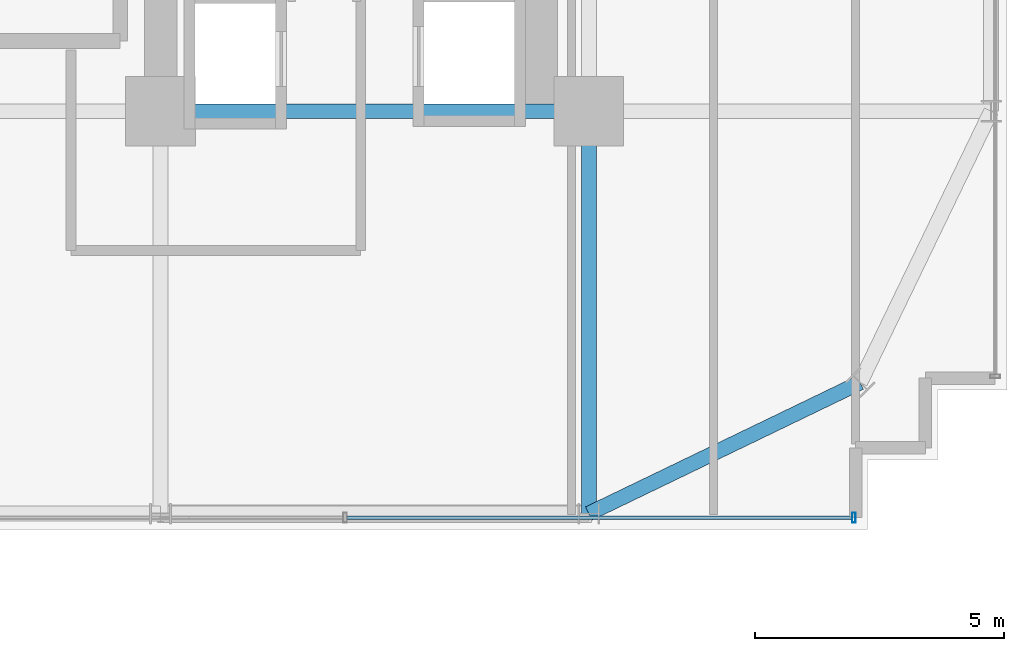
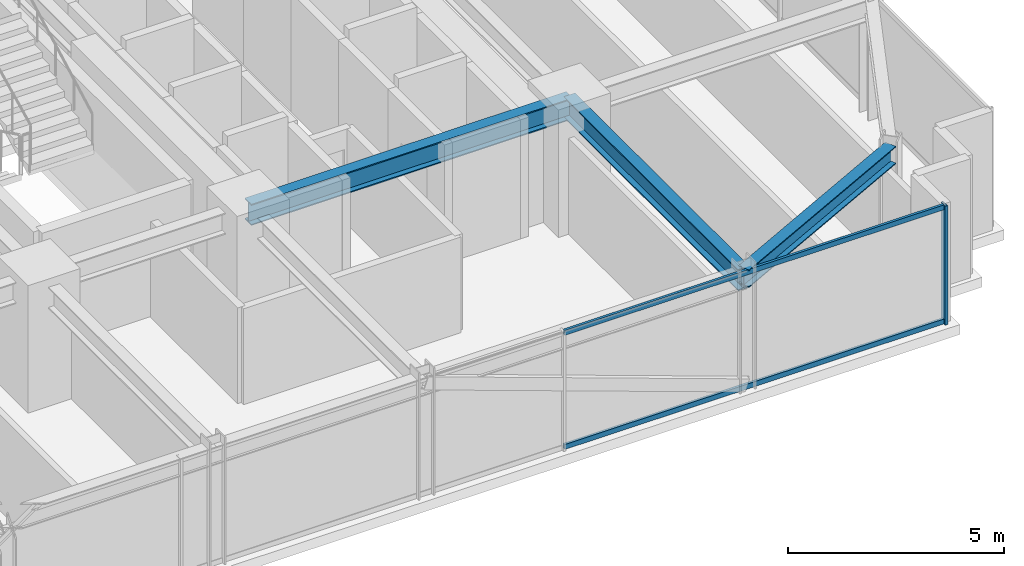
# One storey, part 13 of 43: 3 beams, 3 members, 1 element without a shape of its own.
"""IFC4 building model written with IfcOpenShell, lengths in metres."""

from ifc_helpers import new_model, si_unit, direction, frame, origin, origin_2d, place, context, subcontext, project, spatial, hollow_rectangle, i_section, extrude, source, transform, mapped, material, material_profile, profile_set, type_object, element, aggregate, save


model = new_model("IFC4")

# Units and contexts
model_context = context("Model", 3, precision=1e-05, world=origin(), true_north=direction((0.0, 1.0)))
body_context = subcontext(model_context, "Body", "Model", "MODEL_VIEW")
ifc_project = project(units=[si_unit("LENGTHUNIT", "METRE"), si_unit("AREAUNIT", "SQUARE_METRE"), si_unit("VOLUMEUNIT", "CUBIC_METRE"), si_unit("PLANEANGLEUNIT", "RADIAN"), si_unit("MASSUNIT", "GRAM", prefix="KILO")], contexts=[model_context])

# Site, building, storey
site_placement = place(None, origin())
site = spatial("IfcSite", under=ifc_project, at=site_placement, CompositionType="ELEMENT")
building_placement = place(site_placement, origin())
building = spatial("IfcBuilding", under=site, at=building_placement, Name="Nahalor Promenade Grand Hotel", CompositionType="ELEMENT")
storey_placement = place(building_placement, frame((0.0, 0.0, 57.949951171875)))
storey = spatial("IfcBuildingStorey", under=building, at=storey_placement, Name="L13", CompositionType="ELEMENT", Elevation=57.949951171875)

# Beams
ifc_material_1 = material(Name="Steel S355JR", Category="steel")
ifc_material_profile_1 = material_profile(ifc_material_1, i_section(OverallWidth=0.3, OverallDepth=0.6, WebThickness=0.0155, FlangeThickness=0.03, at=origin_2d()), Name="HEB 600")
ifc_profile_set_1 = profile_set([ifc_material_profile_1], Name="Steel S355JR")
beam_type_1 = type_object("IfcBeamType", Name="Beam-Girder-HEB600", PredefinedType="BEAM", material=ifc_profile_set_1)
shared_shape_1 = source(origin(), body_context, "Body", "SweptSolid", [
    extrude(i_section(OverallWidth=0.3, OverallDepth=0.6, WebThickness=0.0155, FlangeThickness=0.03, at=origin_2d()), origin(), (0.0, 0.0, 1.0), 8.60009765625),
])
beam_1_placement = place(storey_placement, frame((8.39990234375, -17.0, 3.070068359375), z_axis=(1.0, 0.0, 0.0), x_axis=(0.0, 1.0, 0.0)))
element("IfcBeam", 1, at=beam_1_placement, inside=storey, type_object=beam_type_1, Name="BM-L13-GX-0-5", PredefinedType="BEAM", context=body_context, shape_type="MappedRepresentation", body=[
    mapped(shared_shape_1, transform((0.0, 0.0, 0.0), scale=1.0)),
])
shared_shape_2 = source(origin(), body_context, "Body", "SweptSolid", [
    extrude(i_section(OverallWidth=0.3, OverallDepth=0.6, WebThickness=0.0155, FlangeThickness=0.03, at=origin_2d()), origin(), (0.0, 0.0, 1.0), 8.080078125),
])
beam_2_placement = place(storey_placement, frame((17.0, -25.080078125, 3.070068359375), z_axis=(0.0, 1.0, 0.0), x_axis=(-1.0, 0.0, 0.0)))
element("IfcBeam", 2, at=beam_2_placement, inside=storey, type_object=beam_type_1, Name="BM-L13-GY-5-0", PredefinedType="BEAM", context=body_context, shape_type="MappedRepresentation", body=[
    mapped(shared_shape_2, transform((0.0, 0.0, 0.0), scale=1.0)),
])
ifc_material_profile_2 = material_profile(ifc_material_1, i_section(OverallWidth=0.3, OverallDepth=0.5, WebThickness=0.0145, FlangeThickness=0.028, at=origin_2d()), Name="HEB 500")
ifc_profile_set_2 = profile_set([ifc_material_profile_2], Name="Steel S355JR")
beam_type_2 = type_object("IfcBeamType", Name="Beam-Spandrel-HEB500", PredefinedType="SPANDREL", material=ifc_profile_set_2)
shared_shape_3 = source(origin(), body_context, "Body", "SweptSolid", [
    extrude(i_section(OverallWidth=0.3, OverallDepth=0.5, WebThickness=0.0145, FlangeThickness=0.028, at=origin_2d()), origin(), (0.0, 0.0, 1.0), 6.051513671875),
])
beam_3_placement = place(storey_placement, frame((17.0, -25.080078125, 3.1201171875), z_axis=(0.900608818852, 0.434630596492, 0.0), x_axis=(-0.434630596492, 0.900608818852, 0.0)))
element("IfcBeam", 3, at=beam_3_placement, inside=storey, type_object=beam_type_2, Name="BM-L13-SPC-SE-1", PredefinedType="SPANDREL", context=body_context, shape_type="MappedRepresentation", body=[
    mapped(shared_shape_3, transform((0.0, 0.0, 0.0), scale=1.0)),
])

# Curtain wall, members
ifc_material_2 = material(Name="Anodised Bronze Aluminium EN AW-6063 T6", Category="aluminium")
curtain_wall_type = type_object("IfcCurtainWallType", Name="CW3 Elliptical-Void Collar Unitised Curtain Wall", PredefinedType="USERDEFINED", material=ifc_material_2)
curtain_wall_placement = place(storey_placement, origin())
curtain_wall = element("IfcCurtainWall", 4, at=curtain_wall_placement, inside=storey, type_object=curtain_wall_type, Name="L13 Curtain Wall CW-L13-S-3", ObjectType="UNITISED_CURTAIN_WALL", PredefinedType="USERDEFINED")
ifc_material_profile_3 = material_profile(ifc_material_2, hollow_rectangle(XDim=0.07, YDim=0.14, WallThickness=0.004, at=origin_2d()), Name="CWT 70x140x4")
ifc_profile_set_3 = profile_set([ifc_material_profile_3], Name="Anodised Bronze Aluminium EN AW-6063 T6")
member_type_1 = type_object("IfcMemberType", Name="CWT3 Void Collar Transom 70x140", PredefinedType="USERDEFINED", material=ifc_profile_set_3)
shared_shape_4 = source(origin(), body_context, "Body", "SweptSolid", [
    extrude(hollow_rectangle(XDim=0.07, YDim=0.14, WallThickness=0.004, at=origin_2d()), origin(), (0.0, 0.0, 1.0), 10.1484375),
])
member_1_placement = place(storey_placement, frame((12.1416015625, -25.159912109375, 0.070068359375), z_axis=(1.0, 0.0, 0.0), x_axis=(0.0, 1.0, 0.0)))
member_1 = element("IfcMember", 5, at=member_1_placement, type_object=member_type_1, Name="CW-L13-S-3 Transom 2-0", ObjectType="TRANSOM", PredefinedType="USERDEFINED", context=body_context, shape_type="MappedRepresentation", body=[
    mapped(shared_shape_4, transform((0.0, 0.0, 0.0), scale=1.0)),
])
member_2_placement = place(storey_placement, frame((12.1416015625, -25.159912109375, 3.300048828125), z_axis=(1.0, 0.0, 0.0), x_axis=(0.0, 1.0, 0.0)))
member_2 = element("IfcMember", 6, at=member_2_placement, type_object=member_type_1, Name="CW-L13-S-3 Transom 2-1", ObjectType="TRANSOM", PredefinedType="USERDEFINED", context=body_context, shape_type="MappedRepresentation", body=[
    mapped(shared_shape_4, transform((0.0, 0.0, 0.0), scale=1.0)),
])
ifc_material_profile_4 = material_profile(ifc_material_2, hollow_rectangle(XDim=0.07, YDim=0.2, WallThickness=0.005, at=origin_2d()), Name="CWM 70x200x5")
ifc_profile_set_4 = profile_set([ifc_material_profile_4], Name="Anodised Bronze Aluminium EN AW-6063 T6")
member_type_2 = type_object("IfcMemberType", Name="CWM3 Void Collar Mullion 70x200", PredefinedType="MULLION", material=ifc_profile_set_4)
shared_shape_5 = source(origin(), body_context, "Body", "SweptSolid", [
    extrude(hollow_rectangle(XDim=0.07, YDim=0.2, WallThickness=0.005, at=origin_2d()), origin(), (0.0, 0.0, 1.0), 3.3701171875),
])
member_3_placement = place(storey_placement, frame((22.324951171875, -25.159912109375, 0.0), z_axis=(0.0, 0.0, 1.0), x_axis=(1.0, 0.0, 0.0)))
member_3 = element("IfcMember", 7, at=member_3_placement, type_object=member_type_2, Name="CW-L13-S-3 Mullion 3", PredefinedType="MULLION", context=body_context, shape_type="MappedRepresentation", body=[
    mapped(shared_shape_5, transform((0.0, 0.0, 0.0), scale=1.0)),
])
aggregate(curtain_wall, [member_3, member_1, member_2])

save(model, "model.ifc")
